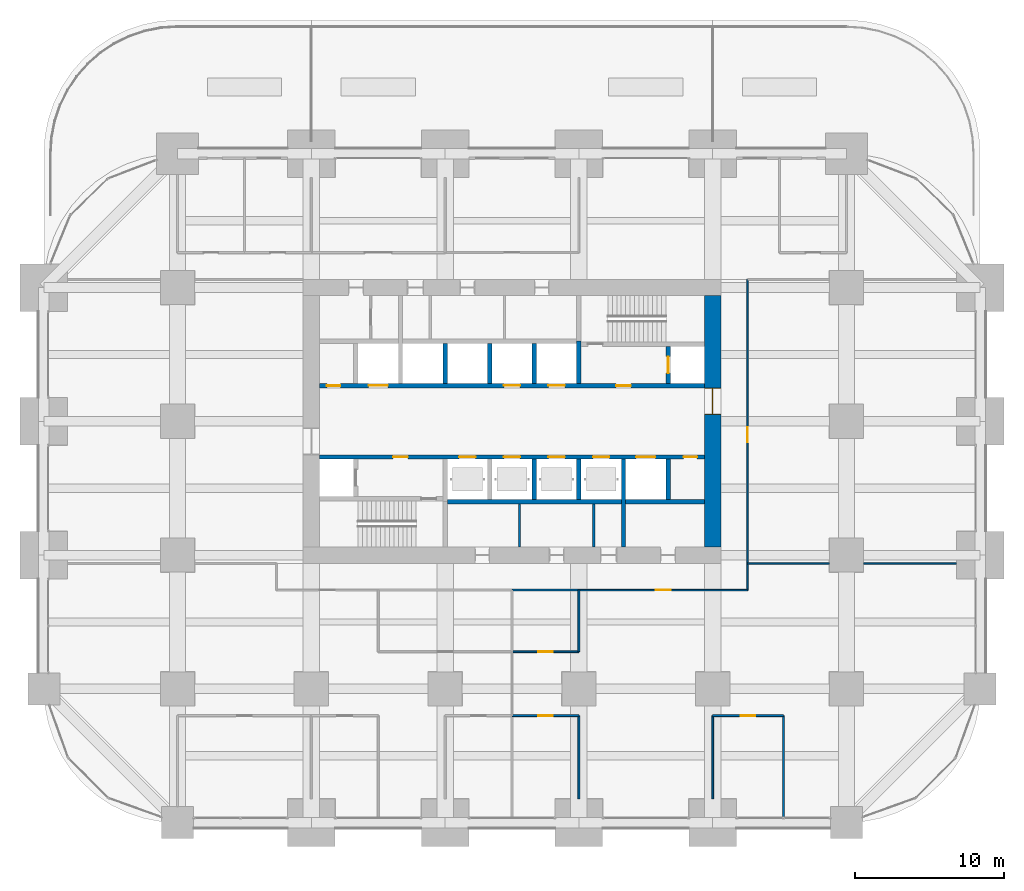
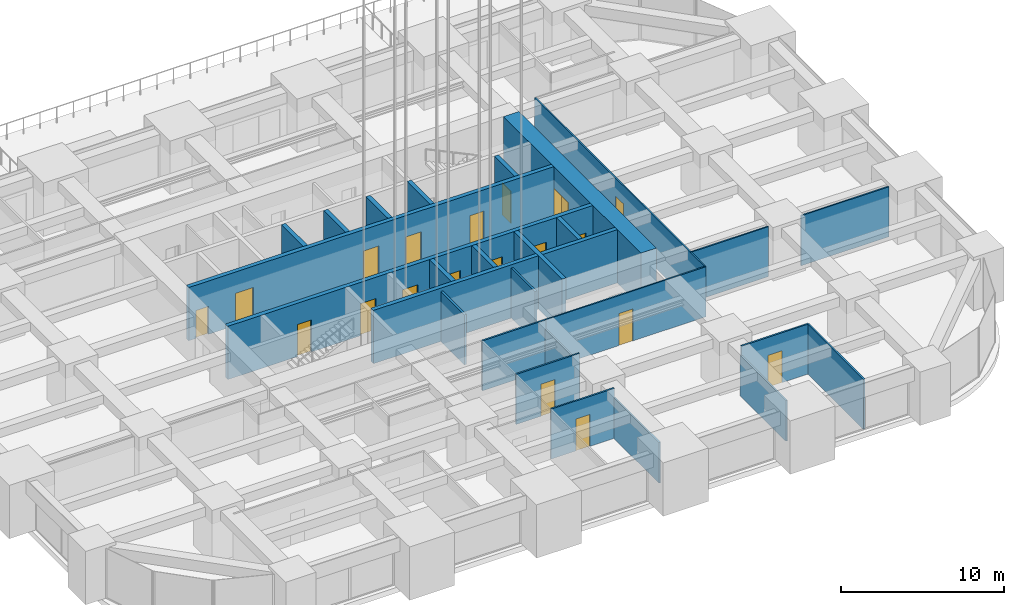
# One storey, part 37 of 50: 27 walls, 19 doors, 19 openings.
"""IFC4 building model written with IfcOpenShell, lengths in metres."""

from ifc_helpers import new_model, si_unit, direction, frame, frame_2d, origin, place, context, subcontext, project, spatial, rectangle, extrude, material, layer, layer_set, type_object, element, fill, save


model = new_model("IFC4")

# Units and contexts
model_context = context("Model", 3, precision=1e-05, world=origin(), true_north=direction((0.0, 1.0)))
body_context = subcontext(model_context, "Body", "Model", "MODEL_VIEW")
ifc_project = project(units=[si_unit("LENGTHUNIT", "METRE"), si_unit("AREAUNIT", "SQUARE_METRE"), si_unit("VOLUMEUNIT", "CUBIC_METRE"), si_unit("PLANEANGLEUNIT", "RADIAN"), si_unit("MASSUNIT", "GRAM", prefix="KILO")], contexts=[model_context])

# Site, building, storey
site_placement = place(None, origin())
site = spatial("IfcSite", under=ifc_project, at=site_placement, CompositionType="ELEMENT")
building_placement = place(site_placement, origin())
building = spatial("IfcBuilding", under=site, at=building_placement, Name="Zorevar Civic Tower", CompositionType="ELEMENT")
storey_placement = place(building_placement, frame((0.0, 0.0, 85.0)))
storey = spatial("IfcBuildingStorey", under=building, at=storey_placement, Name="L20", CompositionType="ELEMENT", Elevation=85.0)

# Wall, opening, door
ifc_material_1 = material(Name="Concrete C50/60", Category="concrete")
ifc_layer_1 = layer(ifc_material_1, 1.10009765625)
ifc_layer_set_1 = layer_set([ifc_layer_1], Name="Core wall 1100")
wall_type_1 = type_object("IfcWallType", Name="Core wall 1100", PredefinedType="SHEAR", material=ifc_layer_set_1)
wall_1_placement = place(storey_placement, frame((45.0, 18.550048828125, 0.0), z_axis=(0.0, 0.0, 1.0), x_axis=(0.0, 1.0, 0.0)))
wall_1 = element("IfcWall", 1, at=wall_1_placement, inside=storey, type_object=wall_type_1, Name="Core wall E L20", PredefinedType="SHEAR", context=body_context, shape_type="SweptSolid", body=[
    extrude(rectangle(XDim=16.89990234375, YDim=1.10009765625, at=frame_2d((8.449951171875, 0.0))), origin(), (0.0, 0.0, 1.0), 4.0),
])
opening_1_placement = place(wall_1_placement, frame((8.89990234375, 0.0, 0.0)))
opening_1 = element("IfcOpeningElement", 2, at=opening_1_placement, cuts=wall_1, Name="Opening L20.02", PredefinedType="OPENING", context=body_context, shape_type="SweptSolid", body=[
    extrude(rectangle(XDim=1.800048828125, YDim=2.39990234375, at=frame_2d((0.89990234375, 1.199951171875))), frame((0.0, 0.56005859375, 0.0), z_axis=(0.0, -1.0, 0.0), x_axis=(1.0, 0.0, 0.0)), (0.0, 0.0, 1.0), 1.1201171875),
])
ifc_material_2 = material(Name="Steel door set", Category="steel")
door_type_1 = type_object("IfcDoorType", Name="Fire door FD2 1800x2400", OperationType="DOUBLE_DOOR_DOUBLE_SWING", PredefinedType="DOOR", material=ifc_material_2)
door_1_placement = place(opening_1_placement, origin())
door_1 = element("IfcDoor", 3, at=door_1_placement, inside=storey, type_object=door_type_1, Name="Door L20 01", OperationType="DOUBLE_DOOR_DOUBLE_SWING", OverallHeight=2.39990234375, OverallWidth=1.800048828125, PredefinedType="DOOR", context=body_context, shape_type="SweptSolid", body=[
    extrude(rectangle(XDim=1.800048828125, YDim=2.39990234375, at=frame_2d((0.89990234375, 1.199951171875))), frame((0.0, 0.030029296875, 0.0), z_axis=(0.0, -1.0, 0.0), x_axis=(1.0, 0.0, 0.0)), (0.0, 0.0, 1.0), 0.06005859375),
    extrude(rectangle(XDim=0.04, YDim=2.39990234375, at=frame_2d((0.02001953125, 1.199951171875))), frame((0.0, 0.5498046875, 0.0), z_axis=(0.0, -1.0, 0.0), x_axis=(1.0, 0.0, 0.0)), (0.0, 0.0, 1.0), 1.099609375),
    extrude(rectangle(XDim=0.04, YDim=2.39990234375, at=frame_2d((1.780029296875, 1.199951171875))), frame((0.0, 0.5498046875, 0.0), z_axis=(0.0, -1.0, 0.0), x_axis=(1.0, 0.0, 0.0)), (0.0, 0.0, 1.0), 1.099609375),
    extrude(rectangle(XDim=1.800048828125, YDim=0.04, at=frame_2d((0.89990234375, 2.3798828125))), frame((0.0, 0.5498046875, 0.0), z_axis=(0.0, -1.0, 0.0), x_axis=(1.0, 0.0, 0.0)), (0.0, 0.0, 1.0), 1.099609375),
])
fill(opening_1, door_1)

ifc_material_3 = material(Name="Laminated glass in black aluminium frame", Category="aluminium")
ifc_layer_2 = layer(ifc_material_3, 0.10009765625)
ifc_layer_set_2 = layer_set([ifc_layer_2], Name="Glazed partition 100")
wall_type_2 = type_object("IfcWallType", Name="Glazed partition 100", PredefinedType="PARTITIONING", material=ifc_layer_set_2)
wall_2_placement = place(storey_placement, frame((36.0, 15.64990234375, 0.0), z_axis=(0.0, 0.0, 1.0), x_axis=(1.0, 0.0, 0.0)))
wall_2 = element("IfcWall", 4, at=wall_2_placement, inside=storey, type_object=wall_type_2, Name="Glazed partition 100 L20", PredefinedType="PARTITIONING", context=body_context, shape_type="SweptSolid", body=[
    extrude(rectangle(XDim=11.35009765625, YDim=0.10009765625, at=frame_2d((5.675048828125, 0.0))), origin(), (0.0, 0.0, 1.0), 3.75),
])
opening_2_placement = place(wall_2_placement, frame((5.175048828125, 0.0, 0.0)))
opening_2 = element("IfcOpeningElement", 5, at=opening_2_placement, cuts=wall_2, Name="Opening L20.25", PredefinedType="OPENING", context=body_context, shape_type="SweptSolid", body=[
    extrude(rectangle(XDim=1.0, YDim=2.39990234375, at=frame_2d((0.5, 1.199951171875))), frame((0.0, 0.06005859375, 0.0), z_axis=(0.0, -1.0, 0.0), x_axis=(1.0, 0.0, 0.0)), (0.0, 0.0, 1.0), 0.1201171875),
])
ifc_material_4 = material(Name="Timber door set", Category="wood")
door_type_2 = type_object("IfcDoorType", Name="Glazed door GD1 1000x2400", OperationType="SINGLE_SWING_LEFT", PredefinedType="DOOR", material=ifc_material_4)
door_2_placement = place(opening_2_placement, origin())
door_2 = element("IfcDoor", 6, at=door_2_placement, inside=storey, type_object=door_type_2, Name="Door L20 D1", OperationType="SINGLE_SWING_LEFT", OverallHeight=2.39990234375, OverallWidth=1.0, PredefinedType="DOOR", context=body_context, shape_type="SweptSolid", body=[
    extrude(rectangle(XDim=1.0, YDim=2.39990234375, at=frame_2d((0.5, 1.199951171875))), frame((0.0, 0.02001953125, 0.0), z_axis=(0.0, -1.0, 0.0), x_axis=(1.0, 0.0, 0.0)), (0.0, 0.0, 1.0), 0.0400390625),
])
fill(opening_2, door_2)

# Walls
wall_3_placement = place(storey_placement, frame((47.35009765625, 17.449951171875, 0.0), z_axis=(0.0, 0.0, 1.0), x_axis=(1.0, 0.0, 0.0)))
element("IfcWall", 7, at=wall_3_placement, inside=storey, type_object=wall_type_2, Name="Glazed partition 100 L20", PredefinedType="PARTITIONING", context=body_context, shape_type="SweptSolid", body=[
    extrude(rectangle(XDim=5.5, YDim=0.10009765625, at=frame_2d((2.75, 0.0))), origin(), (0.0, 0.0, 1.0), 3.75),
])
wall_4_placement = place(storey_placement, frame((55.14990234375, 17.449951171875, 0.0), z_axis=(0.0, 0.0, 1.0), x_axis=(1.0, 0.0, 0.0)))
element("IfcWall", 8, at=wall_4_placement, inside=storey, type_object=wall_type_2, Name="Glazed partition 100 L20", PredefinedType="PARTITIONING", context=body_context, shape_type="SweptSolid", body=[
    extrude(rectangle(XDim=6.25, YDim=0.10009765625, at=frame_2d((3.125, 0.0))), origin(), (0.0, 0.0, 1.0), 3.75),
])

# Wall, opening, door
wall_5_placement = place(storey_placement, frame((47.35009765625, 15.64990234375, 0.0), z_axis=(0.0, 0.0, 1.0), x_axis=(0.0, 1.0, 0.0)))
wall_5 = element("IfcWall", 9, at=wall_5_placement, inside=storey, type_object=wall_type_2, Name="Glazed partition 100 L20", PredefinedType="PARTITIONING", context=body_context, shape_type="SweptSolid", body=[
    extrude(rectangle(XDim=20.900146484375, YDim=0.10009765625, at=frame_2d((10.4501953125, 0.0))), origin(), (0.0, 0.0, 1.0), 3.75),
])
opening_3_placement = place(wall_5_placement, frame((9.949951171875, 0.0, 0.0)))
opening_3 = element("IfcOpeningElement", 10, at=opening_3_placement, cuts=wall_5, Name="Opening L20.31", PredefinedType="OPENING", context=body_context, shape_type="SweptSolid", body=[
    extrude(rectangle(XDim=1.0, YDim=2.39990234375, at=frame_2d((0.5, 1.199951171875))), frame((0.0, 0.06005859375, 0.0), z_axis=(0.0, -1.0, 0.0), x_axis=(1.0, 0.0, 0.0)), (0.0, 0.0, 1.0), 0.1201171875),
])
door_3_placement = place(opening_3_placement, origin())
door_3 = element("IfcDoor", 11, at=door_3_placement, inside=storey, type_object=door_type_2, Name="Door L20 D1", OperationType="SINGLE_SWING_LEFT", OverallHeight=2.39990234375, OverallWidth=1.0, PredefinedType="DOOR", context=body_context, shape_type="SweptSolid", body=[
    extrude(rectangle(XDim=1.0, YDim=2.39990234375, at=frame_2d((0.5, 1.199951171875))), frame((0.0, 0.02001953125, 0.0), z_axis=(0.0, -1.0, 0.0), x_axis=(1.0, 0.0, 0.0)), (0.0, 0.0, 1.0), 0.0400390625),
])
fill(opening_3, door_3)

ifc_material_5 = material(Name="Concrete C40/50", Category="concrete")
ifc_layer_3 = layer(ifc_material_5, 0.300048828125)
ifc_layer_set_3 = layer_set([ifc_layer_3], Name="Inner core wall 300")
wall_type_3 = type_object("IfcWallType", Name="Inner core wall 300", PredefinedType="SHEAR", material=ifc_layer_set_3)
wall_6_placement = place(storey_placement, frame((42.0, 29.550048828125, 0.0), z_axis=(0.0, 0.0, 1.0), x_axis=(0.0, 1.0, 0.0)))
wall_6 = element("IfcWall", 12, at=wall_6_placement, inside=storey, type_object=wall_type_3, Name="Inner core wall N02 L20", PredefinedType="SHEAR", context=body_context, shape_type="SweptSolid", body=[
    extrude(rectangle(XDim=2.5, YDim=0.300048828125, at=frame_2d((1.25, 0.0))), origin(), (0.0, 0.0, 1.0), 4.0),
])
opening_4_placement = place(wall_6_placement, frame((0.699951171875, 0.0, 0.0)))
opening_4 = element("IfcOpeningElement", 13, at=opening_4_placement, cuts=wall_6, Name="Opening L20.FL2", PredefinedType="OPENING", context=body_context, shape_type="SweptSolid", body=[
    extrude(rectangle(XDim=1.10009765625, YDim=2.39990234375, at=frame_2d((0.550048828125, 1.199951171875))), frame((0.0, 0.159912109375, 0.0), z_axis=(0.0, -1.0, 0.0), x_axis=(1.0, 0.0, 0.0)), (0.0, 0.0, 1.0), 0.320068359375),
])
ifc_material_6 = material(Name="Steel door set", Category="steel")
door_type_3 = type_object("IfcDoorType", Name="Firefighting lift landing door LD3 1100x2400", OperationType="DOUBLE_DOOR_SLIDING", PredefinedType="DOOR", material=ifc_material_6)
door_4_placement = place(opening_4_placement, origin())
door_4 = element("IfcDoor", 14, at=door_4_placement, inside=storey, type_object=door_type_3, Name="Landing door FL2 L20", OperationType="DOUBLE_DOOR_SLIDING", OverallHeight=2.39990234375, OverallWidth=1.10009765625, PredefinedType="DOOR", context=body_context, shape_type="SweptSolid", body=[
    extrude(rectangle(XDim=1.10009765625, YDim=2.39990234375, at=frame_2d((0.550048828125, 1.199951171875))), frame((0.0, 0.030029296875, 0.0), z_axis=(0.0, -1.0, 0.0), x_axis=(1.0, 0.0, 0.0)), (0.0, 0.0, 1.0), 0.06005859375),
])
fill(opening_4, door_4)

# Wall, openings, doors
wall_7_placement = place(storey_placement, frame((18.550048828125, 24.60009765625, 0.0), z_axis=(0.0, 0.0, 1.0), x_axis=(1.0, 0.0, 0.0)))
wall_7 = element("IfcWall", 15, at=wall_7_placement, inside=storey, type_object=wall_type_3, Name="Inner core wall S03 L20", PredefinedType="SHEAR", context=body_context, shape_type="SweptSolid", body=[
    extrude(rectangle(XDim=25.89990234375, YDim=0.300048828125, at=frame_2d((12.949951171875, 0.0))), origin(), (0.0, 0.0, 1.0), 4.0),
])
opening_5_placement = place(wall_7_placement, frame((4.949951171875, 0.0, 0.0)))
opening_5 = element("IfcOpeningElement", 16, at=opening_5_placement, cuts=wall_7, Name="Opening L20.13", PredefinedType="OPENING", context=body_context, shape_type="SweptSolid", body=[
    extrude(rectangle(XDim=1.0, YDim=2.39990234375, at=frame_2d((0.5, 1.199951171875))), frame((0.0, 0.159912109375, 0.0), z_axis=(0.0, -1.0, 0.0), x_axis=(1.0, 0.0, 0.0)), (0.0, 0.0, 1.0), 0.320068359375),
])
opening_6_placement = place(wall_7_placement, frame((24.5, 0.0, 0.0)))
opening_6 = element("IfcOpeningElement", 17, at=opening_6_placement, cuts=wall_7, Name="Opening L20.15", PredefinedType="OPENING", context=body_context, shape_type="SweptSolid", body=[
    extrude(rectangle(XDim=0.89990234375, YDim=2.10009765625, at=frame_2d((0.449951171875, 1.050048828125))), frame((0.0, 0.159912109375, 0.0), z_axis=(0.0, -1.0, 0.0), x_axis=(1.0, 0.0, 0.0)), (0.0, 0.0, 1.0), 0.320068359375),
])
opening_7_placement = place(wall_7_placement, frame((9.39990234375, 0.0, 0.0)))
opening_7 = element("IfcOpeningElement", 18, at=opening_7_placement, cuts=wall_7, Name="Opening L20.LT1", PredefinedType="OPENING", context=body_context, shape_type="SweptSolid", body=[
    extrude(rectangle(XDim=1.10009765625, YDim=2.39990234375, at=frame_2d((0.550048828125, 1.199951171875))), frame((0.0, 0.159912109375, 0.0), z_axis=(0.0, -1.0, 0.0), x_axis=(1.0, 0.0, 0.0)), (0.0, 0.0, 1.0), 0.320068359375),
])
opening_8_placement = place(wall_7_placement, frame((12.39990234375, 0.0, 0.0)))
opening_8 = element("IfcOpeningElement", 19, at=opening_8_placement, cuts=wall_7, Name="Opening L20.LT2", PredefinedType="OPENING", context=body_context, shape_type="SweptSolid", body=[
    extrude(rectangle(XDim=1.10009765625, YDim=2.39990234375, at=frame_2d((0.550048828125, 1.199951171875))), frame((0.0, 0.159912109375, 0.0), z_axis=(0.0, -1.0, 0.0), x_axis=(1.0, 0.0, 0.0)), (0.0, 0.0, 1.0), 0.320068359375),
])
opening_9_placement = place(wall_7_placement, frame((15.39990234375, 0.0, 0.0)))
opening_9 = element("IfcOpeningElement", 20, at=opening_9_placement, cuts=wall_7, Name="Opening L20.LT3", PredefinedType="OPENING", context=body_context, shape_type="SweptSolid", body=[
    extrude(rectangle(XDim=1.10009765625, YDim=2.39990234375, at=frame_2d((0.550048828125, 1.199951171875))), frame((0.0, 0.159912109375, 0.0), z_axis=(0.0, -1.0, 0.0), x_axis=(1.0, 0.0, 0.0)), (0.0, 0.0, 1.0), 0.320068359375),
])
opening_10_placement = place(wall_7_placement, frame((18.39990234375, 0.0, 0.0)))
opening_10 = element("IfcOpeningElement", 21, at=opening_10_placement, cuts=wall_7, Name="Opening L20.LT4", PredefinedType="OPENING", context=body_context, shape_type="SweptSolid", body=[
    extrude(rectangle(XDim=1.10009765625, YDim=2.39990234375, at=frame_2d((0.550048828125, 1.199951171875))), frame((0.0, 0.159912109375, 0.0), z_axis=(0.0, -1.0, 0.0), x_axis=(1.0, 0.0, 0.0)), (0.0, 0.0, 1.0), 0.320068359375),
])
opening_11_placement = place(wall_7_placement, frame((21.300048828125, 0.0, 0.0)))
opening_11 = element("IfcOpeningElement", 22, at=opening_11_placement, cuts=wall_7, Name="Opening L20.SL1", PredefinedType="OPENING", context=body_context, shape_type="SweptSolid", body=[
    extrude(rectangle(XDim=1.300048828125, YDim=2.39990234375, at=frame_2d((0.64990234375, 1.199951171875))), frame((0.0, 0.159912109375, 0.0), z_axis=(0.0, -1.0, 0.0), x_axis=(1.0, 0.0, 0.0)), (0.0, 0.0, 1.0), 0.320068359375),
])
ifc_material_7 = material(Name="Steel door set", Category="steel")
door_type_4 = type_object("IfcDoorType", Name="Fire door FD1 1000x2400", OperationType="SINGLE_SWING_LEFT", PredefinedType="DOOR", material=ifc_material_7)
door_5_placement = place(opening_5_placement, origin())
door_5 = element("IfcDoor", 23, at=door_5_placement, inside=storey, type_object=door_type_4, Name="Door L20 12", OperationType="SINGLE_SWING_RIGHT", OverallHeight=2.39990234375, OverallWidth=1.0, PredefinedType="DOOR", context=body_context, shape_type="SweptSolid", body=[
    extrude(rectangle(XDim=1.0, YDim=2.39990234375, at=frame_2d((0.5, 1.199951171875))), frame((0.0, 0.030029296875, 0.0), z_axis=(0.0, -1.0, 0.0), x_axis=(1.0, 0.0, 0.0)), (0.0, 0.0, 1.0), 0.06005859375),
])
fill(opening_5, door_5)
ifc_material_8 = material(Name="Steel door set", Category="steel")
door_type_5 = type_object("IfcDoorType", Name="Landing door LD1 1100x2400", OperationType="DOUBLE_DOOR_SLIDING", PredefinedType="DOOR", material=ifc_material_8)
door_6_placement = place(opening_7_placement, origin())
door_6 = element("IfcDoor", 24, at=door_6_placement, inside=storey, type_object=door_type_5, Name="Landing door LT1 L20", OperationType="DOUBLE_DOOR_SLIDING", OverallHeight=2.39990234375, OverallWidth=1.10009765625, PredefinedType="DOOR", context=body_context, shape_type="SweptSolid", body=[
    extrude(rectangle(XDim=1.10009765625, YDim=2.39990234375, at=frame_2d((0.550048828125, 1.199951171875))), frame((0.0, 0.02001953125, 0.0), z_axis=(0.0, -1.0, 0.0), x_axis=(1.0, 0.0, 0.0)), (0.0, 0.0, 1.0), 0.0400390625),
])
fill(opening_7, door_6)
door_7_placement = place(opening_8_placement, origin())
door_7 = element("IfcDoor", 25, at=door_7_placement, inside=storey, type_object=door_type_5, Name="Landing door LT2 L20", OperationType="DOUBLE_DOOR_SLIDING", OverallHeight=2.39990234375, OverallWidth=1.10009765625, PredefinedType="DOOR", context=body_context, shape_type="SweptSolid", body=[
    extrude(rectangle(XDim=1.10009765625, YDim=2.39990234375, at=frame_2d((0.550048828125, 1.199951171875))), frame((0.0, 0.02001953125, 0.0), z_axis=(0.0, -1.0, 0.0), x_axis=(1.0, 0.0, 0.0)), (0.0, 0.0, 1.0), 0.0400390625),
])
fill(opening_8, door_7)
door_8_placement = place(opening_9_placement, origin())
door_8 = element("IfcDoor", 26, at=door_8_placement, inside=storey, type_object=door_type_5, Name="Landing door LT3 L20", OperationType="DOUBLE_DOOR_SLIDING", OverallHeight=2.39990234375, OverallWidth=1.10009765625, PredefinedType="DOOR", context=body_context, shape_type="SweptSolid", body=[
    extrude(rectangle(XDim=1.10009765625, YDim=2.39990234375, at=frame_2d((0.550048828125, 1.199951171875))), frame((0.0, 0.02001953125, 0.0), z_axis=(0.0, -1.0, 0.0), x_axis=(1.0, 0.0, 0.0)), (0.0, 0.0, 1.0), 0.0400390625),
])
fill(opening_9, door_8)
door_9_placement = place(opening_10_placement, origin())
door_9 = element("IfcDoor", 27, at=door_9_placement, inside=storey, type_object=door_type_5, Name="Landing door LT4 L20", OperationType="DOUBLE_DOOR_SLIDING", OverallHeight=2.39990234375, OverallWidth=1.10009765625, PredefinedType="DOOR", context=body_context, shape_type="SweptSolid", body=[
    extrude(rectangle(XDim=1.10009765625, YDim=2.39990234375, at=frame_2d((0.550048828125, 1.199951171875))), frame((0.0, 0.02001953125, 0.0), z_axis=(0.0, -1.0, 0.0), x_axis=(1.0, 0.0, 0.0)), (0.0, 0.0, 1.0), 0.0400390625),
])
fill(opening_10, door_9)
ifc_material_9 = material(Name="Steel door set", Category="steel")
door_type_6 = type_object("IfcDoorType", Name="Landing door LD2 1300x2400", OperationType="DOUBLE_DOOR_SLIDING", PredefinedType="DOOR", material=ifc_material_9)
door_10_placement = place(opening_11_placement, origin())
door_10 = element("IfcDoor", 28, at=door_10_placement, inside=storey, type_object=door_type_6, Name="Landing door SL1 L20", OperationType="DOUBLE_DOOR_SLIDING", OverallHeight=2.39990234375, OverallWidth=1.300048828125, PredefinedType="DOOR", context=body_context, shape_type="SweptSolid", body=[
    extrude(rectangle(XDim=1.300048828125, YDim=2.39990234375, at=frame_2d((0.64990234375, 1.199951171875))), frame((0.0, 0.02001953125, 0.0), z_axis=(0.0, -1.0, 0.0), x_axis=(1.0, 0.0, 0.0)), (0.0, 0.0, 1.0), 0.0400390625),
])
fill(opening_11, door_10)
ifc_material_10 = material(Name="Steel door set", Category="steel")
door_type_7 = type_object("IfcDoorType", Name="Riser door RD1 900x2100", OperationType="SINGLE_SWING_LEFT", PredefinedType="DOOR", material=ifc_material_10)
door_11_placement = place(opening_6_placement, origin())
door_11 = element("IfcDoor", 29, at=door_11_placement, inside=storey, type_object=door_type_7, Name="Door L20 14", OperationType="SINGLE_SWING_RIGHT", OverallHeight=2.10009765625, OverallWidth=0.89990234375, PredefinedType="DOOR", context=body_context, shape_type="SweptSolid", body=[
    extrude(rectangle(XDim=0.89990234375, YDim=2.10009765625, at=frame_2d((0.449951171875, 1.050048828125))), frame((0.0, 0.030029296875, 0.0), z_axis=(0.0, -1.0, 0.0), x_axis=(1.0, 0.0, 0.0)), (0.0, 0.0, 1.0), 0.06005859375),
])
fill(opening_6, door_11)

wall_8_placement = place(storey_placement, frame((18.550048828125, 29.39990234375, 0.0), z_axis=(0.0, 0.0, 1.0), x_axis=(1.0, 0.0, 0.0)))
wall_8 = element("IfcWall", 30, at=wall_8_placement, inside=storey, type_object=wall_type_3, Name="Inner core wall N03 L20", PredefinedType="SHEAR", context=body_context, shape_type="SweptSolid", body=[
    extrude(rectangle(XDim=25.89990234375, YDim=0.300048828125, at=frame_2d((12.949951171875, 0.0))), origin(), (0.0, 0.0, 1.0), 4.0),
])
opening_12_placement = place(wall_8_placement, frame((19.949951171875, 0.0, 0.0)))
opening_12 = element("IfcOpeningElement", 31, at=opening_12_placement, cuts=wall_8, Name="Opening L20.14", PredefinedType="OPENING", context=body_context, shape_type="SweptSolid", body=[
    extrude(rectangle(XDim=1.0, YDim=2.39990234375, at=frame_2d((0.5, 1.199951171875))), frame((0.0, 0.159912109375, 0.0), z_axis=(0.0, -1.0, 0.0), x_axis=(1.0, 0.0, 0.0)), (0.0, 0.0, 1.0), 0.320068359375),
])
opening_13_placement = place(wall_8_placement, frame((0.5, 0.0, 0.0)))
opening_13 = element("IfcOpeningElement", 32, at=opening_13_placement, cuts=wall_8, Name="Opening L20.16", PredefinedType="OPENING", context=body_context, shape_type="SweptSolid", body=[
    extrude(rectangle(XDim=0.89990234375, YDim=2.10009765625, at=frame_2d((0.449951171875, 1.050048828125))), frame((0.0, 0.159912109375, 0.0), z_axis=(0.0, -1.0, 0.0), x_axis=(1.0, 0.0, 0.0)), (0.0, 0.0, 1.0), 0.320068359375),
])
opening_14_placement = place(wall_8_placement, frame((15.39990234375, 0.0, 0.0)))
opening_14 = element("IfcOpeningElement", 33, at=opening_14_placement, cuts=wall_8, Name="Opening L20.LM1", PredefinedType="OPENING", context=body_context, shape_type="SweptSolid", body=[
    extrude(rectangle(XDim=1.10009765625, YDim=2.39990234375, at=frame_2d((0.550048828125, 1.199951171875))), frame((0.0, 0.159912109375, 0.0), z_axis=(0.0, -1.0, 0.0), x_axis=(1.0, 0.0, 0.0)), (0.0, 0.0, 1.0), 0.320068359375),
])
opening_15_placement = place(wall_8_placement, frame((12.39990234375, 0.0, 0.0)))
opening_15 = element("IfcOpeningElement", 34, at=opening_15_placement, cuts=wall_8, Name="Opening L20.LM2", PredefinedType="OPENING", context=body_context, shape_type="SweptSolid", body=[
    extrude(rectangle(XDim=1.10009765625, YDim=2.39990234375, at=frame_2d((0.550048828125, 1.199951171875))), frame((0.0, 0.159912109375, 0.0), z_axis=(0.0, -1.0, 0.0), x_axis=(1.0, 0.0, 0.0)), (0.0, 0.0, 1.0), 0.320068359375),
])
opening_16_placement = place(wall_8_placement, frame((3.300048828125, 0.0, 0.0)))
opening_16 = element("IfcOpeningElement", 35, at=opening_16_placement, cuts=wall_8, Name="Opening L20.SL2", PredefinedType="OPENING", context=body_context, shape_type="SweptSolid", body=[
    extrude(rectangle(XDim=1.300048828125, YDim=2.39990234375, at=frame_2d((0.64990234375, 1.199951171875))), frame((0.0, 0.159912109375, 0.0), z_axis=(0.0, -1.0, 0.0), x_axis=(1.0, 0.0, 0.0)), (0.0, 0.0, 1.0), 0.320068359375),
])
door_12_placement = place(opening_12_placement, origin())
door_12 = element("IfcDoor", 36, at=door_12_placement, inside=storey, type_object=door_type_4, Name="Door L20 13", OperationType="SINGLE_SWING_RIGHT", OverallHeight=2.39990234375, OverallWidth=1.0, PredefinedType="DOOR", context=body_context, shape_type="SweptSolid", body=[
    extrude(rectangle(XDim=1.0, YDim=2.39990234375, at=frame_2d((0.5, 1.199951171875))), frame((0.0, 0.030029296875, 0.0), z_axis=(0.0, -1.0, 0.0), x_axis=(1.0, 0.0, 0.0)), (0.0, 0.0, 1.0), 0.06005859375),
])
fill(opening_12, door_12)
door_13_placement = place(opening_14_placement, origin())
door_13 = element("IfcDoor", 37, at=door_13_placement, inside=storey, type_object=door_type_5, Name="Landing door LM1 L20", OperationType="DOUBLE_DOOR_SLIDING", OverallHeight=2.39990234375, OverallWidth=1.10009765625, PredefinedType="DOOR", context=body_context, shape_type="SweptSolid", body=[
    extrude(rectangle(XDim=1.10009765625, YDim=2.39990234375, at=frame_2d((0.550048828125, 1.199951171875))), frame((0.0, 0.02001953125, 0.0), z_axis=(0.0, -1.0, 0.0), x_axis=(1.0, 0.0, 0.0)), (0.0, 0.0, 1.0), 0.0400390625),
])
fill(opening_14, door_13)
door_14_placement = place(opening_15_placement, origin())
door_14 = element("IfcDoor", 38, at=door_14_placement, inside=storey, type_object=door_type_5, Name="Landing door LM2 L20", OperationType="DOUBLE_DOOR_SLIDING", OverallHeight=2.39990234375, OverallWidth=1.10009765625, PredefinedType="DOOR", context=body_context, shape_type="SweptSolid", body=[
    extrude(rectangle(XDim=1.10009765625, YDim=2.39990234375, at=frame_2d((0.550048828125, 1.199951171875))), frame((0.0, 0.02001953125, 0.0), z_axis=(0.0, -1.0, 0.0), x_axis=(1.0, 0.0, 0.0)), (0.0, 0.0, 1.0), 0.0400390625),
])
fill(opening_15, door_14)
door_15_placement = place(opening_16_placement, origin())
door_15 = element("IfcDoor", 39, at=door_15_placement, inside=storey, type_object=door_type_6, Name="Landing door SL2 L20", OperationType="DOUBLE_DOOR_SLIDING", OverallHeight=2.39990234375, OverallWidth=1.300048828125, PredefinedType="DOOR", context=body_context, shape_type="SweptSolid", body=[
    extrude(rectangle(XDim=1.300048828125, YDim=2.39990234375, at=frame_2d((0.64990234375, 1.199951171875))), frame((0.0, 0.02001953125, 0.0), z_axis=(0.0, -1.0, 0.0), x_axis=(1.0, 0.0, 0.0)), (0.0, 0.0, 1.0), 0.0400390625),
])
fill(opening_16, door_15)
door_16_placement = place(opening_13_placement, origin())
door_16 = element("IfcDoor", 40, at=door_16_placement, inside=storey, type_object=door_type_7, Name="Door L20 15", OperationType="SINGLE_SWING_RIGHT", OverallHeight=2.10009765625, OverallWidth=0.89990234375, PredefinedType="DOOR", context=body_context, shape_type="SweptSolid", body=[
    extrude(rectangle(XDim=0.89990234375, YDim=2.10009765625, at=frame_2d((0.449951171875, 1.050048828125))), frame((0.0, 0.030029296875, 0.0), z_axis=(0.0, -1.0, 0.0), x_axis=(1.0, 0.0, 0.0)), (0.0, 0.0, 1.0), 0.06005859375),
])
fill(opening_13, door_16)

# Walls
wall_9_placement = place(storey_placement, frame((27.14990234375, 21.60009765625, 0.0), z_axis=(0.0, 0.0, 1.0), x_axis=(1.0, 0.0, 0.0)))
element("IfcWall", 41, at=wall_9_placement, inside=storey, type_object=wall_type_3, Name="Inner core wall S04 L20", PredefinedType="SHEAR", context=body_context, shape_type="SweptSolid", body=[
    extrude(rectangle(XDim=17.300048828125, YDim=0.300048828125, at=frame_2d((8.64990234375, 0.0))), origin(), (0.0, 0.0, 1.0), 4.0),
])
for number, where, z_axis, x_axis, name in (
    (42, (33.0, 29.550048828125, 0.0), (0.0, 0.0, 1.0), (0.0, 1.0, 0.0), "Inner core wall N05 L20"),
    (43, (33.0, 21.75, 0.0), (0.0, 0.0, 1.0), (0.0, 1.0, 0.0), "Inner core wall S06 L20"),
    (44, (30.0, 29.550048828125, 0.0), (0.0, 0.0, 1.0), (0.0, 1.0, 0.0), "Inner core wall N06 L20"),
    (45, (36.0, 21.75, 0.0), (0.0, 0.0, 1.0), (0.0, 1.0, 0.0), "Inner core wall S07 L20"),
    (46, (27.0, 29.550048828125, 0.0), (0.0, 0.0, 1.0), (0.0, 1.0, 0.0), "Inner core wall N07 L20"),
):
    element("IfcWall", number, at=place(storey_placement, frame(where, z_axis=z_axis, x_axis=x_axis)), inside=storey, type_object=wall_type_3, Name=name, PredefinedType="SHEAR", context=body_context, shape_type="SweptSolid", body=[
        extrude(rectangle(XDim=2.699951171875, YDim=0.300048828125, at=frame_2d((1.35009765625, 0.0))), origin(), (0.0, 0.0, 1.0), 4.0),
    ])
wall_10_placement = place(storey_placement, frame((39.0, 18.550048828125, 0.0), z_axis=(0.0, 0.0, 1.0), x_axis=(0.0, 1.0, 0.0)))
element("IfcWall", 47, at=wall_10_placement, inside=storey, type_object=wall_type_3, Name="Inner core wall S08 L20", PredefinedType="SHEAR", context=body_context, shape_type="SweptSolid", body=[
    extrude(rectangle(XDim=5.89990234375, YDim=0.300048828125, at=frame_2d((2.949951171875, 0.0))), origin(), (0.0, 0.0, 1.0), 4.0),
])
wall_11_placement = place(storey_placement, frame((42.0, 21.75, 0.0), z_axis=(0.0, 0.0, 1.0), x_axis=(0.0, 1.0, 0.0)))
element("IfcWall", 48, at=wall_11_placement, inside=storey, type_object=wall_type_3, Name="Inner core wall S09 L20", PredefinedType="SHEAR", context=body_context, shape_type="SweptSolid", body=[
    extrude(rectangle(XDim=2.699951171875, YDim=0.300048828125, at=frame_2d((1.35009765625, 0.0))), origin(), (0.0, 0.0, 1.0), 4.0),
])
wall_12_placement = place(storey_placement, frame((36.0, 29.550048828125, 0.0), z_axis=(0.0, 0.0, 1.0), x_axis=(0.0, 1.0, 0.0)))
element("IfcWall", 49, at=wall_12_placement, inside=storey, type_object=wall_type_3, Name="Inner core wall N10 L20", PredefinedType="SHEAR", context=body_context, shape_type="SweptSolid", body=[
    extrude(rectangle(XDim=2.849853515625, YDim=0.300048828125, at=frame_2d((1.4248046875, 0.0))), origin(), (0.0, 0.0, 1.0), 4.0),
])

# Wall, opening, door
ifc_material_11 = material(Name="Gypsum board on steel studs", Category="steel")
ifc_layer_4 = layer(ifc_material_11, 0.1201171875)
ifc_layer_set_4 = layer_set([ifc_layer_4], Name="Partition 120")
wall_type_4 = type_object("IfcWallType", Name="Partition 120", PredefinedType="PARTITIONING", material=ifc_layer_set_4)
wall_13_placement = place(storey_placement, frame((31.5, 7.199951171875, 0.0), z_axis=(0.0, 0.0, 1.0), x_axis=(1.0, 0.0, 0.0)))
wall_13 = element("IfcWall", 50, at=wall_13_placement, inside=storey, type_object=wall_type_4, Name="Partition 120 L20", PredefinedType="PARTITIONING", context=body_context, shape_type="SweptSolid", body=[
    extrude(rectangle(XDim=4.5, YDim=0.1201171875, at=frame_2d((2.25, 0.0))), origin(), (0.0, 0.0, 1.0), 3.75),
])
opening_17_placement = place(wall_13_placement, frame((1.75, 0.0, 0.0)))
opening_17 = element("IfcOpeningElement", 51, at=opening_17_placement, cuts=wall_13, Name="Opening L20.20", PredefinedType="OPENING", context=body_context, shape_type="SweptSolid", body=[
    extrude(rectangle(XDim=1.0, YDim=2.39990234375, at=frame_2d((0.5, 1.199951171875))), frame((0.0, 0.070068359375, 0.0), z_axis=(0.0, -1.0, 0.0), x_axis=(1.0, 0.0, 0.0)), (0.0, 0.0, 1.0), 0.14013671875),
])
ifc_material_12 = material(Name="Timber door set", Category="wood")
door_type_8 = type_object("IfcDoorType", Name="Door D1 1000x2400", OperationType="SINGLE_SWING_LEFT", PredefinedType="DOOR", material=ifc_material_12)
door_17_placement = place(opening_17_placement, origin())
door_17 = element("IfcDoor", 52, at=door_17_placement, inside=storey, type_object=door_type_8, Name="Door L20 D1", OperationType="SINGLE_SWING_RIGHT", OverallHeight=2.39990234375, OverallWidth=1.0, PredefinedType="DOOR", context=body_context, shape_type="SweptSolid", body=[
    extrude(rectangle(XDim=1.0, YDim=2.39990234375, at=frame_2d((0.5, 1.199951171875))), frame((0.0, 0.02490234375, 0.0), z_axis=(0.0, -1.0, 0.0), x_axis=(1.0, 0.0, 0.0)), (0.0, 0.0, 1.0), 0.050048828125),
])
fill(opening_17, door_17)

wall_14_placement = place(storey_placement, frame((45.0, 7.199951171875, 0.0), z_axis=(0.0, 0.0, 1.0), x_axis=(1.0, 0.0, 0.0)))
wall_14 = element("IfcWall", 53, at=wall_14_placement, inside=storey, type_object=wall_type_4, Name="Partition 120 L20", PredefinedType="PARTITIONING", context=body_context, shape_type="SweptSolid", body=[
    extrude(rectangle(XDim=4.762451171875, YDim=0.1201171875, at=frame_2d((2.38134765625, 0.0))), origin(), (0.0, 0.0, 1.0), 3.75),
])
opening_18_placement = place(wall_14_placement, frame((1.881103515625, 0.0, 0.0)))
opening_18 = element("IfcOpeningElement", 54, at=opening_18_placement, cuts=wall_14, Name="Opening L20.21", PredefinedType="OPENING", context=body_context, shape_type="SweptSolid", body=[
    extrude(rectangle(XDim=1.0, YDim=2.39990234375, at=frame_2d((0.5, 1.199951171875))), frame((0.0, 0.070068359375, 0.0), z_axis=(0.0, -1.0, 0.0), x_axis=(1.0, 0.0, 0.0)), (0.0, 0.0, 1.0), 0.14013671875),
])
door_18_placement = place(opening_18_placement, origin())
door_18 = element("IfcDoor", 55, at=door_18_placement, inside=storey, type_object=door_type_8, Name="Door L20 D1", OperationType="SINGLE_SWING_LEFT", OverallHeight=2.39990234375, OverallWidth=1.0, PredefinedType="DOOR", context=body_context, shape_type="SweptSolid", body=[
    extrude(rectangle(XDim=1.0, YDim=2.39990234375, at=frame_2d((0.5, 1.199951171875))), frame((0.0, 0.02490234375, 0.0), z_axis=(0.0, -1.0, 0.0), x_axis=(1.0, 0.0, 0.0)), (0.0, 0.0, 1.0), 0.050048828125),
])
fill(opening_18, door_18)

wall_15_placement = place(storey_placement, frame((31.5, 11.5, 0.0), z_axis=(0.0, 0.0, 1.0), x_axis=(1.0, 0.0, 0.0)))
wall_15 = element("IfcWall", 56, at=wall_15_placement, inside=storey, type_object=wall_type_4, Name="Partition 120 L20", PredefinedType="PARTITIONING", context=body_context, shape_type="SweptSolid", body=[
    extrude(rectangle(XDim=4.5, YDim=0.1201171875, at=frame_2d((2.25, 0.0))), origin(), (0.0, 0.0, 1.0), 3.75),
])
opening_19_placement = place(wall_15_placement, frame((1.75, 0.0, 0.0)))
opening_19 = element("IfcOpeningElement", 57, at=opening_19_placement, cuts=wall_15, Name="Opening L20.23", PredefinedType="OPENING", context=body_context, shape_type="SweptSolid", body=[
    extrude(rectangle(XDim=1.0, YDim=2.39990234375, at=frame_2d((0.5, 1.199951171875))), frame((0.0, 0.070068359375, 0.0), z_axis=(0.0, -1.0, 0.0), x_axis=(1.0, 0.0, 0.0)), (0.0, 0.0, 1.0), 0.14013671875),
])
door_19_placement = place(opening_19_placement, origin())
door_19 = element("IfcDoor", 58, at=door_19_placement, inside=storey, type_object=door_type_8, Name="Door L20 D1", OperationType="SINGLE_SWING_LEFT", OverallHeight=2.39990234375, OverallWidth=1.0, PredefinedType="DOOR", context=body_context, shape_type="SweptSolid", body=[
    extrude(rectangle(XDim=1.0, YDim=2.39990234375, at=frame_2d((0.5, 1.199951171875))), frame((0.0, 0.02490234375, 0.0), z_axis=(0.0, -1.0, 0.0), x_axis=(1.0, 0.0, 0.0)), (0.0, 0.0, 1.0), 0.050048828125),
])
fill(opening_19, door_19)

# Walls
wall_16_placement = place(storey_placement, frame((31.5, 15.64990234375, 0.0), z_axis=(0.0, 0.0, 1.0), x_axis=(1.0, 0.0, 0.0)))
element("IfcWall", 59, at=wall_16_placement, inside=storey, type_object=wall_type_4, Name="Partition 120 L20", PredefinedType="PARTITIONING", context=body_context, shape_type="SweptSolid", body=[
    extrude(rectangle(XDim=4.5, YDim=0.1201171875, at=frame_2d((2.25, 0.0))), origin(), (0.0, 0.0, 1.0), 3.75),
])
wall_17_placement = place(storey_placement, frame((36.0, 11.5, 0.0), z_axis=(0.0, 0.0, 1.0), x_axis=(0.0, 1.0, 0.0)))
element("IfcWall", 60, at=wall_17_placement, inside=storey, type_object=wall_type_4, Name="Partition 120 L20", PredefinedType="PARTITIONING", context=body_context, shape_type="SweptSolid", body=[
    extrude(rectangle(XDim=4.14990234375, YDim=0.1201171875, at=frame_2d((2.074951171875, 0.0))), origin(), (0.0, 0.0, 1.0), 3.050048828125),
])
for number, where, z_axis, x_axis, name in (
    (61, (36.0, 1.60009765625, 0.0), (0.0, 0.0, 1.0), (0.0, 1.0, 0.0), "Partition 120 L20"),
    (62, (45.0, 1.60009765625, 0.0), (0.0, 0.0, 1.0), (0.0, 1.0, 0.0), "Partition 120 L20"),
):
    element("IfcWall", number, at=place(storey_placement, frame(where, z_axis=z_axis, x_axis=x_axis)), inside=storey, type_object=wall_type_4, Name=name, PredefinedType="PARTITIONING", context=body_context, shape_type="SweptSolid", body=[
        extrude(rectangle(XDim=5.599853515625, YDim=0.1201171875, at=frame_2d((2.7998046875, 0.0))), origin(), (0.0, 0.0, 1.0), 3.050048828125),
    ])
wall_18_placement = place(storey_placement, frame((49.762451171875, 0.31005859375, 0.0), z_axis=(0.0, 0.0, 1.0), x_axis=(0.0, 1.0, 0.0)))
element("IfcWall", 63, at=wall_18_placement, inside=storey, type_object=wall_type_4, Name="Partition 120 L20", PredefinedType="PARTITIONING", context=body_context, shape_type="SweptSolid", body=[
    extrude(rectangle(XDim=6.889892578125, YDim=0.1201171875, at=frame_2d((3.44482421875, 0.0))), origin(), (0.0, 0.0, 1.0), 3.75),
])
ifc_material_13 = material(Name="Gypsum board on steel studs, moisture resistant", Category="steel")
ifc_layer_5 = layer(ifc_material_13, 0.14990234375)
ifc_layer_set_5 = layer_set([ifc_layer_5], Name="WC partition 150")
wall_type_5 = type_object("IfcWallType", Name="WC partition 150", PredefinedType="PARTITIONING", material=ifc_layer_set_5)
for number, where, z_axis, x_axis, name in (
    (64, (32.0, 18.550048828125, 0.0), (0.0, 0.0, 1.0), (0.0, 1.0, 0.0), "WC partition L20"),
    (65, (37.0, 18.550048828125, 0.0), (0.0, 0.0, 1.0), (0.0, 1.0, 0.0), "WC partition L20"),
):
    element("IfcWall", number, at=place(storey_placement, frame(where, z_axis=z_axis, x_axis=x_axis)), inside=storey, type_object=wall_type_5, Name=name, PredefinedType="PARTITIONING", context=body_context, shape_type="SweptSolid", body=[
        extrude(rectangle(XDim=2.89990234375, YDim=0.14990234375, at=frame_2d((1.449951171875, 0.0))), origin(), (0.0, 0.0, 1.0), 3.75),
    ])

save(model, "model.ifc")
